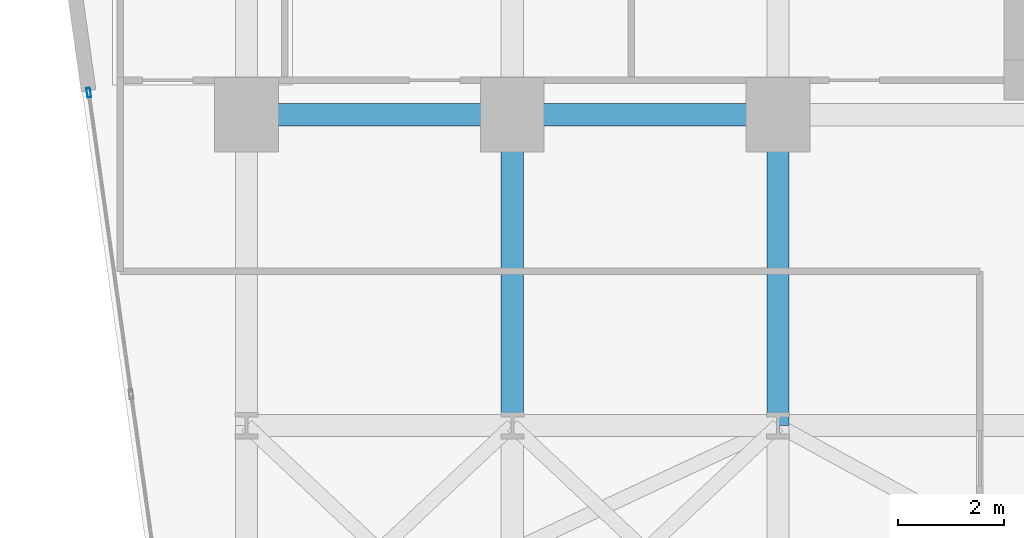
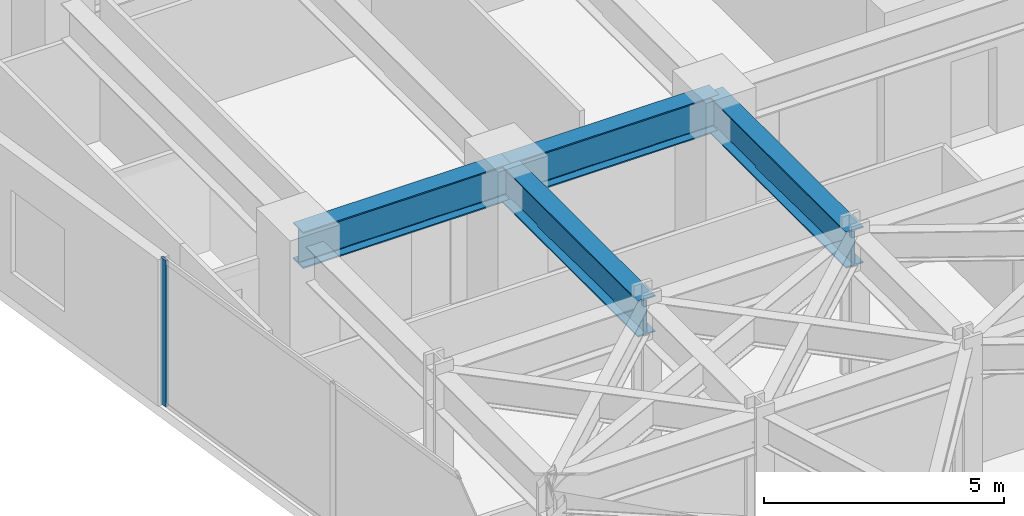
# One storey, part 17 of 25: 4 beams, 1 member, 1 element without a shape of its own.
"""IFC4 building model written with IfcOpenShell, lengths in metres."""

from ifc_helpers import new_model, si_unit, direction, frame, origin, origin_2d, place, context, subcontext, project, spatial, hollow_rectangle, i_section, extrude, material, layer, layer_set, material_profile, profile_set, type_object, element, aggregate, save


model = new_model("IFC4")

# Units and contexts
model_context = context("Model", 3, precision=1e-05, world=origin(), true_north=direction((0.0, 1.0)))
body_context = subcontext(model_context, "Body", "Model", "MODEL_VIEW")
ifc_project = project(units=[si_unit("LENGTHUNIT", "METRE"), si_unit("AREAUNIT", "SQUARE_METRE"), si_unit("VOLUMEUNIT", "CUBIC_METRE"), si_unit("PLANEANGLEUNIT", "RADIAN"), si_unit("MASSUNIT", "GRAM", prefix="KILO")], contexts=[model_context])

# Site, building, storey
site_placement = place(None, origin())
site = spatial("IfcSite", under=ifc_project, at=site_placement, CompositionType="ELEMENT")
building_placement = place(site_placement, origin())
building = spatial("IfcBuilding", under=site, at=building_placement, Name="Kravanh Interchange Tower", CompositionType="ELEMENT")
storey_placement = place(building_placement, frame((0.0, 0.0, 81.5)))
storey = spatial("IfcBuildingStorey", under=building, at=storey_placement, Name="L19", CompositionType="ELEMENT", Elevation=81.5)

# Curtain wall, member
ifc_material_1 = material(Name="Anodised Bronze Aluminium", Category="aluminium")
ifc_layer = layer(ifc_material_1, 0.179931640625)
ifc_layer_set = layer_set([ifc_layer], Name="Unitised Curtain Wall System CW-Z1 Lower Office")
curtain_wall_type = type_object("IfcCurtainWallType", Name="Unitised Curtain Wall System CW-Z1 Lower Office", PredefinedType="NOTDEFINED", material=ifc_layer_set)
curtain_wall_placement = place(storey_placement, origin())
curtain_wall = element("IfcCurtainWall", 1, at=curtain_wall_placement, inside=storey, type_object=curtain_wall_type, Name="L19 Unitised Curtain Wall CW-L19-01", PredefinedType="NOTDEFINED")
ifc_material_2 = material(Name="Anodised Bronze Aluminium", Category="aluminium")
ifc_material_profile_1 = material_profile(ifc_material_2, hollow_rectangle(XDim=0.070068359375, YDim=0.179931640625, WallThickness=0.00390625, at=origin_2d()), Name="ALU70X180X4")
ifc_profile_set_1 = profile_set([ifc_material_profile_1], Name="Anodised Bronze Aluminium")
member_type = type_object("IfcMemberType", Name="Curtain Wall Mullion ALU70X180X4 Bronze", PredefinedType="MULLION", material=ifc_profile_set_1)
member_placement = place(storey_placement, frame((5.6298828125, 37.765380859375, 0.0), z_axis=(0.0, 0.0, 1.0), x_axis=(-0.990267585682, -0.139176538065, 0.0)))
member = element("IfcMember", 2, at=member_placement, type_object=member_type, Name="CW-Z1 mullion 7", PredefinedType="MULLION", context=body_context, shape_type="SweptSolid", body=[
    extrude(hollow_rectangle(XDim=0.070068359375, YDim=0.179931640625, WallThickness=0.00390625, at=origin_2d()), origin(), (0.0, 0.0, 1.0), 3.719970703125),
])
aggregate(curtain_wall, [member])

# Beams
ifc_material_3 = material(Name="Structural Steel S355", Category="steel")
ifc_material_profile_2 = material_profile(ifc_material_3, i_section(OverallWidth=0.41796875, OverallDepth=0.927001953125, WebThickness=0.019287109375, FlangeThickness=0.031982421875, FilletRadius=0.028076171875, at=origin_2d()), Name="W36X231")
ifc_profile_set_2 = profile_set([ifc_material_profile_2], Name="Structural Steel S355")
beam_type = type_object("IfcBeamType", Name="Floor Beam W36X231 Structural Steel S355", PredefinedType="BEAM", material=ifc_profile_set_2)
beam_1_placement = place(storey_placement, frame((18.60009765625, 37.35009765625, 3.256591796875), z_axis=(-1.0, 0.0, 0.0), x_axis=(0.0, -1.0, 0.0)))
element("IfcBeam", 3, at=beam_1_placement, inside=storey, type_object=beam_type, Name="L19 Primary Floor Girder 28", PredefinedType="BEAM", context=body_context, shape_type="SweptSolid", body=[
    extrude(i_section(OverallWidth=0.41796875, OverallDepth=0.927001953125, WebThickness=0.019287109375, FlangeThickness=0.031982421875, FilletRadius=0.028076171875, at=origin_2d()), origin(), (0.0, 0.0, 1.0), 5.0),
])
beam_2_placement = place(storey_placement, frame((18.60009765625, 37.35009765625, 3.256591796875), z_axis=(0.0, -1.0, 0.0), x_axis=(1.0, 0.0, 0.0)))
element("IfcBeam", 4, at=beam_2_placement, inside=storey, type_object=beam_type, Name="L19 Primary Floor Girder 29", PredefinedType="BEAM", context=body_context, shape_type="SweptSolid", body=[
    extrude(i_section(OverallWidth=0.41796875, OverallDepth=0.927001953125, WebThickness=0.019287109375, FlangeThickness=0.031982421875, FilletRadius=0.028076171875, at=origin_2d()), origin(), (0.0, 0.0, 1.0), 5.85009765625),
])
beam_3_placement = place(storey_placement, frame((13.60009765625, 37.35009765625, 3.256591796875), z_axis=(-1.0, 0.0, 0.0), x_axis=(0.0, -1.0, 0.0)))
element("IfcBeam", 5, at=beam_3_placement, inside=storey, type_object=beam_type, Name="L19 Primary Floor Girder 32", PredefinedType="BEAM", context=body_context, shape_type="SweptSolid", body=[
    extrude(i_section(OverallWidth=0.41796875, OverallDepth=0.927001953125, WebThickness=0.019287109375, FlangeThickness=0.031982421875, FilletRadius=0.028076171875, at=origin_2d()), origin(), (0.0, 0.0, 1.0), 5.0),
])
beam_4_placement = place(storey_placement, frame((13.60009765625, 37.35009765625, 3.256591796875), z_axis=(0.0, -1.0, 0.0), x_axis=(1.0, 0.0, 0.0)))
element("IfcBeam", 6, at=beam_4_placement, inside=storey, type_object=beam_type, Name="L19 Primary Floor Girder 33", PredefinedType="BEAM", context=body_context, shape_type="SweptSolid", body=[
    extrude(i_section(OverallWidth=0.41796875, OverallDepth=0.927001953125, WebThickness=0.019287109375, FlangeThickness=0.031982421875, FilletRadius=0.028076171875, at=origin_2d()), origin(), (0.0, 0.0, 1.0), 5.85009765625),
])

save(model, "model.ifc")
